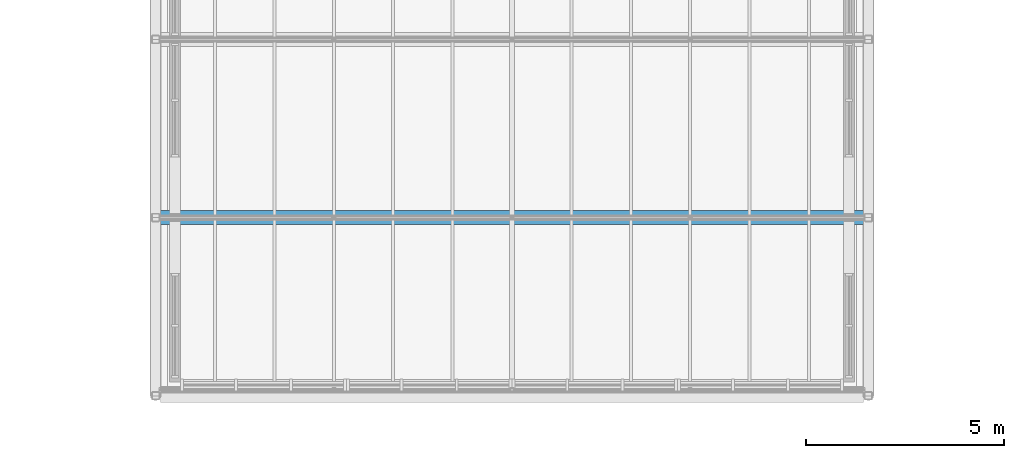
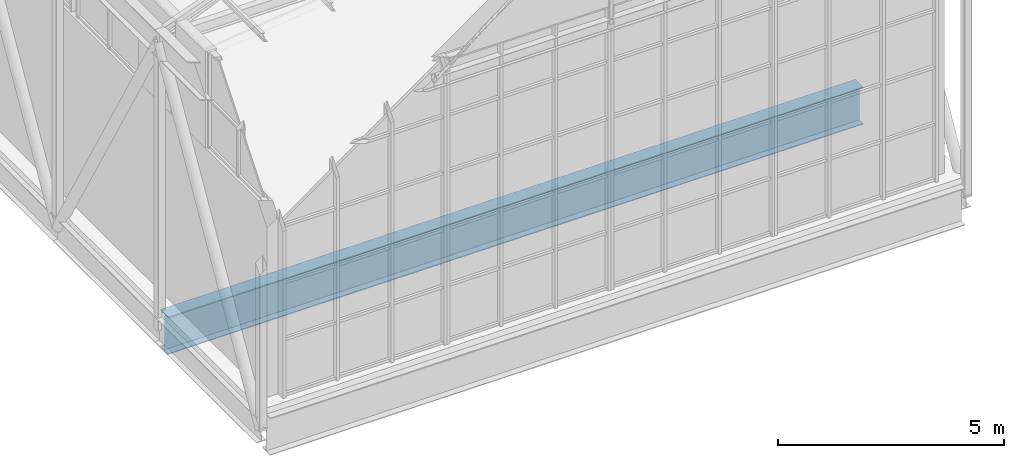
# One storey, part 14 of 90: 1 beam.
"""IFC4 building model written with IfcOpenShell, lengths in metres."""

from ifc_helpers import new_model, si_unit, direction, frame, origin, origin_2d, place, context, subcontext, project, spatial, i_section, extrude, material, material_profile, profile_set, type_object, element, save


model = new_model("IFC4")

# Units and contexts
model_context = context("Model", 3, precision=1e-05, world=origin(), true_north=direction((0.0, 1.0)))
body_context = subcontext(model_context, "Body", "Model", "MODEL_VIEW")
ifc_project = project(units=[si_unit("LENGTHUNIT", "METRE"), si_unit("AREAUNIT", "SQUARE_METRE"), si_unit("VOLUMEUNIT", "CUBIC_METRE"), si_unit("PLANEANGLEUNIT", "RADIAN"), si_unit("MASSUNIT", "GRAM", prefix="KILO")], contexts=[model_context])

# Site, building, storey
site_placement = place(None, origin())
site = spatial("IfcSite", under=ifc_project, at=site_placement, CompositionType="ELEMENT")
building_placement = place(site_placement, origin())
building = spatial("IfcBuilding", under=site, at=building_placement, Name="Halyard Row Museum", CompositionType="ELEMENT")
storey_placement = place(building_placement, frame((0.0, 0.0, 13.39990234375)))
storey = spatial("IfcBuildingStorey", under=building, at=storey_placement, Name="L03", CompositionType="ELEMENT", Elevation=13.39990234375)

# Beam
ifc_material = material(Name="Steel Grade 300", Category="steel")
ifc_material_profile = material_profile(ifc_material, i_section(OverallWidth=0.35009765625, OverallDepth=1.010009765625, WebThickness=0.01611328125, FlangeThickness=0.02490234375, at=origin_2d()), Name="1000WB258")
ifc_profile_set = profile_set([ifc_material_profile], Name="Steel Grade 300")
beam_type = type_object("IfcBeamType", Name="Cross girder beam 1000WB258", PredefinedType="BEAM", material=ifc_profile_set)
beam_placement = place(storey_placement, frame((36.125, 4.5, -0.669921875), z_axis=(1.0, 0.0, 0.0), x_axis=(0.0, 1.0, 0.0)))
element("IfcBeam", 1, at=beam_placement, inside=storey, type_object=beam_type, Name="Beam L03-006", PredefinedType="BEAM", context=body_context, shape_type="SweptSolid", body=[
    extrude(i_section(OverallWidth=0.35009765625, OverallDepth=1.010009765625, WebThickness=0.01611328125, FlangeThickness=0.02490234375, at=origin_2d()), origin(), (0.0, 0.0, 1.0), 17.75),
])

save(model, "model.ifc")
